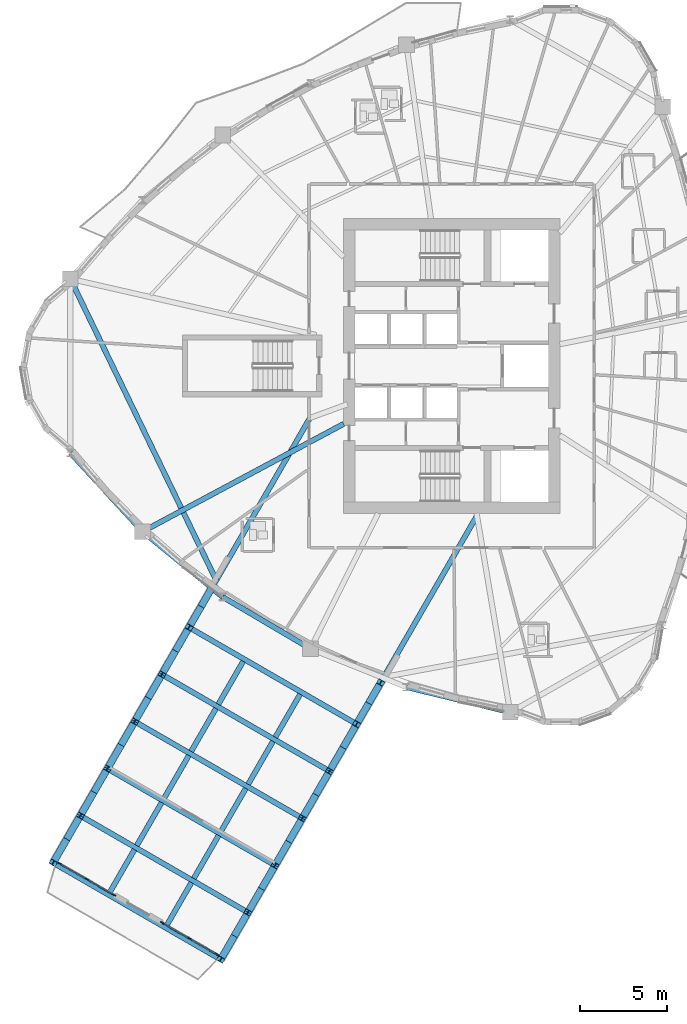
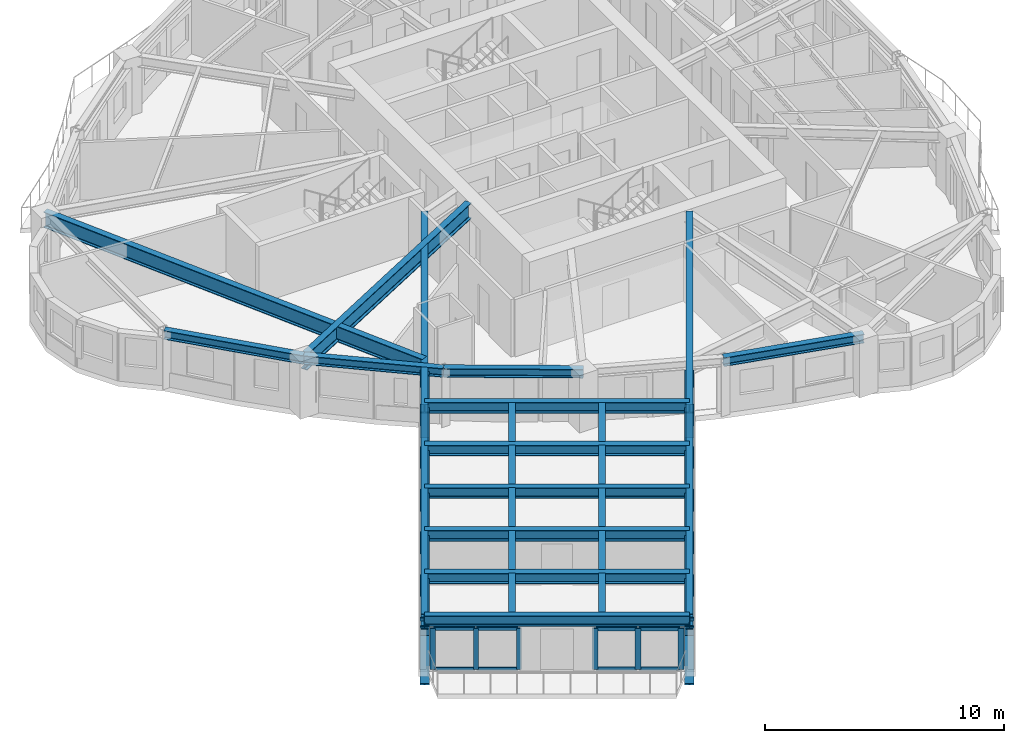
# One storey, part 2 of 17: 38 members, 24 beams, 2 elements without a shape of their own.
"""IFC4 building model written with IfcOpenShell, lengths in metres."""

from ifc_helpers import new_model, si_unit, direction, frame, origin, origin_2d, place, context, subcontext, project, spatial, rectangle, i_section, extrude, source, transform, mapped, material, layer, layer_set, material_profile, profile_set, type_object, element, aggregate, save


model = new_model("IFC4")

# Units and contexts
model_context = context("Model", 3, precision=1e-05, world=origin(), true_north=direction((0.0, 1.0)))
body_context = subcontext(model_context, "Body", "Model", "MODEL_VIEW")
ifc_project = project(units=[si_unit("LENGTHUNIT", "METRE"), si_unit("AREAUNIT", "SQUARE_METRE"), si_unit("VOLUMEUNIT", "CUBIC_METRE"), si_unit("PLANEANGLEUNIT", "RADIAN"), si_unit("MASSUNIT", "GRAM", prefix="KILO")], contexts=[model_context])

# Site, building, storey
site_placement = place(None, origin())
site = spatial("IfcSite", under=ifc_project, at=site_placement, CompositionType="ELEMENT")
building_placement = place(site_placement, origin())
building = spatial("IfcBuilding", under=site, at=building_placement, Name="Qafzar Sky-Pleat Residences", CompositionType="ELEMENT")
storey_placement = place(building_placement, frame((0.0, 0.0, 112.0)))
storey = spatial("IfcBuildingStorey", under=building, at=storey_placement, Name="L33", CompositionType="ELEMENT", Elevation=112.0)

# Beams
ifc_material_1 = material(Name="Steel S355", Category="steel")
ifc_material_profile_1 = material_profile(ifc_material_1, i_section(OverallWidth=0.300048828125, OverallDepth=0.449951171875, WebThickness=0.013916015625, FlangeThickness=0.02587890625, FilletRadius=0.027099609375, at=origin_2d()), Name="HEB 450")
ifc_profile_set_1 = profile_set([ifc_material_profile_1], Name="Steel S355")
beam_type_1 = type_object("IfcBeamType", Name="BM-SPAN-HEB450", PredefinedType="SPANDREL", material=ifc_profile_set_1)
shared_shape_1 = source(origin(), body_context, "Body", "SweptSolid", [
    extrude(i_section(OverallWidth=0.300048828125, OverallDepth=0.449951171875, WebThickness=0.013916015625, FlangeThickness=0.02587890625, FilletRadius=0.027099609375, at=origin_2d()), origin(), (0.0, 0.0, 1.0), 6.12255859375),
])
beam_1_placement = place(storey_placement, frame((8.47412109375, 21.003662109375, 2.7080078125), z_axis=(0.676462829948, -0.736476774718, 0.0), x_axis=(0.736476774718, 0.676462829948, 0.0)))
element("IfcBeam", 1, at=beam_1_placement, inside=storey, type_object=beam_type_1, Name="L33 Perimeter Spandrel Beam 2", PredefinedType="SPANDREL", context=body_context, shape_type="MappedRepresentation", body=[
    mapped(shared_shape_1, transform((0.0, 0.0, 0.0), x_axis=(1.0, 0.0, 0.0), y_axis=(0.0, 1.0, 0.0), z_axis=(0.0, 0.0, 1.0), scale=1.0)),
])
shared_shape_2 = source(origin(), body_context, "Body", "SweptSolid", [
    extrude(i_section(OverallWidth=0.300048828125, OverallDepth=0.449951171875, WebThickness=0.013916015625, FlangeThickness=0.02587890625, FilletRadius=0.027099609375, at=origin_2d()), origin(), (0.0, 0.0, 1.0), 5.9248046875),
])
beam_2_placement = place(storey_placement, frame((12.61572265625, 16.49462890625, 2.7080078125), z_axis=(0.775326900383, -0.631560129792, 0.0), x_axis=(0.631560129792, 0.775326900383, 0.0)))
element("IfcBeam", 2, at=beam_2_placement, inside=storey, type_object=beam_type_1, Name="L33 Perimeter Spandrel Beam 3", PredefinedType="SPANDREL", context=body_context, shape_type="MappedRepresentation", body=[
    mapped(shared_shape_2, transform((0.0, 0.0, 0.0), x_axis=(1.0, 0.0, 0.0), y_axis=(0.0, 1.0, 0.0), z_axis=(0.0, 0.0, 1.0), scale=1.0)),
])
shared_shape_3 = source(origin(), body_context, "Body", "SweptSolid", [
    extrude(i_section(OverallWidth=0.300048828125, OverallDepth=0.449951171875, WebThickness=0.013916015625, FlangeThickness=0.02587890625, FilletRadius=0.027099609375, at=origin_2d()), origin(), (0.0, 0.0, 1.0), 5.85791015625),
])
beam_3_placement = place(storey_placement, frame((17.20947265625, 12.752685546875, 2.7080078125), z_axis=(0.861428087591, -0.507879562406, 0.0), x_axis=(0.507879562406, 0.861428087591, 0.0)))
element("IfcBeam", 3, at=beam_3_placement, inside=storey, type_object=beam_type_1, Name="L33 Perimeter Spandrel Beam 4", PredefinedType="SPANDREL", context=body_context, shape_type="MappedRepresentation", body=[
    mapped(shared_shape_3, transform((0.0, 0.0, 0.0), x_axis=(1.0, 0.0, 0.0), y_axis=(0.0, 1.0, 0.0), z_axis=(0.0, 0.0, 1.0), scale=1.0)),
])
shared_shape_4 = source(origin(), body_context, "Body", "SweptSolid", [
    extrude(i_section(OverallWidth=0.300048828125, OverallDepth=0.449951171875, WebThickness=0.013916015625, FlangeThickness=0.02587890625, FilletRadius=0.027099609375, at=origin_2d()), origin(), (0.0, 0.0, 1.0), 6.122314453125),
])
beam_4_placement = place(storey_placement, frame((27.75390625, 7.5693359375, 2.7080078125), z_axis=(0.971910390101, -0.235351213325, 0.0), x_axis=(0.235351213325, 0.971910390101, 0.0)))
element("IfcBeam", 4, at=beam_4_placement, inside=storey, type_object=beam_type_1, Name="L33 Perimeter Spandrel Beam 6", PredefinedType="SPANDREL", context=body_context, shape_type="MappedRepresentation", body=[
    mapped(shared_shape_4, transform((0.0, 0.0, 0.0), x_axis=(1.0, 0.0, 0.0), y_axis=(0.0, 1.0, 0.0), z_axis=(0.0, 0.0, 1.0), scale=1.0)),
])
ifc_material_2 = material(Name="Steel S460", Category="steel")
ifc_material_profile_2 = material_profile(ifc_material_2, i_section(OverallWidth=0.300048828125, OverallDepth=0.800048828125, WebThickness=0.017578125, FlangeThickness=0.032958984375, FilletRadius=0.030029296875, at=origin_2d()), Name="HEB 800")
ifc_profile_set_2 = profile_set([ifc_material_profile_2], Name="Steel S460")
beam_type_2 = type_object("IfcBeamType", Name="BM-CHORD-HEB800", PredefinedType="BEAM", material=ifc_profile_set_2)
shared_shape_5 = source(origin(), body_context, "Body", "SweptSolid", [
    extrude(i_section(OverallWidth=0.300048828125, OverallDepth=0.800048828125, WebThickness=0.017578125, FlangeThickness=0.032958984375, FilletRadius=0.030029296875, at=origin_2d()), origin(), (0.0, 0.0, 1.0), 13.086669921875),
])
beam_5_placement = place(storey_placement, frame((12.61572265625, 16.49462890625, 2.532958984375), z_axis=(0.881373448835, 0.472420198223, 0.0), x_axis=(-0.472420198223, 0.881373448835, 0.0)))
element("IfcBeam", 5, at=beam_5_placement, inside=storey, type_object=beam_type_2, Name="L33 Radial Floor Girder 3", PredefinedType="BEAM", context=body_context, shape_type="MappedRepresentation", body=[
    mapped(shared_shape_5, transform((0.0, 0.0, 0.0), x_axis=(1.0, 0.0, 0.0), y_axis=(0.0, 1.0, 0.0), z_axis=(0.0, 0.0, 1.0), scale=1.0)),
])
shared_shape_6 = source(origin(), body_context, "Body", "SweptSolid", [
    extrude(i_section(OverallWidth=0.300048828125, OverallDepth=0.800048828125, WebThickness=0.017578125, FlangeThickness=0.032958984375, FilletRadius=0.030029296875, at=origin_2d()), origin(), (0.0, 0.0, 1.0), 29.460205078125),
])
beam_6_placement = place(storey_placement, frame((31.831298828125, 17.4658203125, 2.532958984375), z_axis=(-0.499994809059, -0.866028400755, 0.0), x_axis=(0.866028400755, -0.499994809059, 0.0)))
element("IfcBeam", 6, at=beam_6_placement, inside=storey, type_object=beam_type_2, Name="L33 SB-3 Truss Chord L1", PredefinedType="BEAM", context=body_context, shape_type="MappedRepresentation", body=[
    mapped(shared_shape_6, transform((0.0, 0.0, 0.0), x_axis=(1.0, 0.0, 0.0), y_axis=(0.0, 1.0, 0.0), z_axis=(0.0, 0.0, 1.0), scale=1.0)),
])

# Members
ifc_material_profile_3 = material_profile(ifc_material_2, i_section(OverallWidth=0.40087890625, OverallDepth=0.39892578125, WebThickness=0.02294921875, FlangeThickness=0.035888671875, FilletRadius=0.014892578125, at=origin_2d()), Name="HD 400x314")
ifc_profile_set_3 = profile_set([ifc_material_profile_3], Name="Steel S460")
member_type_1 = type_object("IfcMemberType", Name="MEM-SB-DIAG", PredefinedType="BRACE", material=ifc_profile_set_3)
shared_shape_7 = source(origin(), body_context, "Body", "SweptSolid", [
    extrude(i_section(OverallWidth=0.40087890625, OverallDepth=0.39892578125, WebThickness=0.02294921875, FlangeThickness=0.035888671875, FilletRadius=0.014892578125, at=origin_2d()), origin(), (0.0, 0.0, 1.0), 4.224853515625),
])
for number, where, z_axis, x_axis, name in (
    (7, (26.2763671875, 7.844482421875, -0.6669921875), (-0.326444068238, -0.565454984547, 0.757426518392), (0.866039674899, -0.49997528089, 0.0), "L33 SB-3 Truss Web Diagonal L1A"),
    (8, (26.2763671875, 7.844482421875, 2.532958984375), (-0.326444068238, -0.565454984547, -0.757426518392), (0.866039674899, -0.49997528089, 0.0), "L33 SB-3 Truss Web Diagonal L1B"),
):
    element("IfcMember", number, at=place(storey_placement, frame(where, z_axis=z_axis, x_axis=x_axis)), inside=storey, type_object=member_type_1, Name=name, PredefinedType="BRACE", context=body_context, shape_type="MappedRepresentation", body=[
        mapped(shared_shape_7, transform((0.0, 0.0, 0.0), x_axis=(1.0, 0.0, 0.0), y_axis=(0.0, 1.0, 0.0), z_axis=(0.0, 0.0, 1.0), scale=1.0)),
    ])
shared_shape_8 = source(origin(), body_context, "Body", "SweptSolid", [
    extrude(i_section(OverallWidth=0.40087890625, OverallDepth=0.39892578125, WebThickness=0.02294921875, FlangeThickness=0.035888671875, FilletRadius=0.014892578125, at=origin_2d()), origin(), (0.0, 0.0, 1.0), 4.46826171875),
])
for number, where, z_axis, x_axis, name in (
    (9, (24.897216796875, 5.45556640625, -0.6669921875), (-0.348982495153, -0.604422163987, 0.716159944257), (0.866013493936, -0.500020627895, 0.0), "L33 SB-3 Truss Web Diagonal L2A"),
    (10, (24.897216796875, 5.45556640625, 2.532958984375), (-0.348982495153, -0.604422163987, -0.716159944257), (0.866013493936, -0.500020627895, 0.0), "L33 SB-3 Truss Web Diagonal L2B"),
    (11, (15.284423828125, 11.005615234375, -0.6669921875), (-0.348982495153, -0.604422163987, 0.716159944257), (0.866013493936, -0.500020627895, 0.0), "L33 SB-3 Truss Web Diagonal R2A"),
    (12, (15.284423828125, 11.005615234375, 2.532958984375), (-0.348982495153, -0.604422163987, -0.716159944257), (0.866013493936, -0.500020627895, 0.0), "L33 SB-3 Truss Web Diagonal R2B"),
    (13, (9.047607421875, 0.203125, -0.6669921875), (-0.348982495153, -0.604422163987, 0.716159944257), (0.866013493936, -0.500020627895, 0.0), "L33 SB-3 Truss Web Diagonal R6A"),
    (14, (9.047607421875, 0.203125, 2.532958984375), (-0.348982495153, -0.604422163987, -0.716159944257), (0.866013493936, -0.500020627895, 0.0), "L33 SB-3 Truss Web Diagonal R6B"),
):
    element("IfcMember", number, at=place(storey_placement, frame(where, z_axis=z_axis, x_axis=x_axis)), inside=storey, type_object=member_type_1, Name=name, PredefinedType="BRACE", context=body_context, shape_type="MappedRepresentation", body=[
        mapped(shared_shape_8, transform((0.0, 0.0, 0.0), x_axis=(1.0, 0.0, 0.0), y_axis=(0.0, 1.0, 0.0), z_axis=(0.0, 0.0, 1.0), scale=1.0)),
    ])
shared_shape_9 = source(origin(), body_context, "Body", "SweptSolid", [
    extrude(i_section(OverallWidth=0.40087890625, OverallDepth=0.39892578125, WebThickness=0.02294921875, FlangeThickness=0.035888671875, FilletRadius=0.014892578125, at=origin_2d()), origin(), (0.0, 0.0, 1.0), 4.468017578125),
])
for number, where, z_axis, x_axis, name in (
    (15, (23.337890625, 2.7548828125, -0.6669921875), (-0.348934508758, -0.604433688675, 0.716173599481), (0.866047393576, -0.499961910629, 0.0), "L33 SB-3 Truss Web Diagonal L3A"),
    (16, (23.337890625, 2.7548828125, 2.532958984375), (-0.348934508758, -0.604433688675, -0.716173599481), (0.866047393576, -0.499961910629, 0.0), "L33 SB-3 Truss Web Diagonal L3B"),
    (17, (21.77880859375, 0.05419921875, -0.6669921875), (-0.348994020464, -0.604387484006, 0.716183595775), (0.86599391852, -0.500054530113, 0.0), "L33 SB-3 Truss Web Diagonal L4A"),
    (18, (21.77880859375, 0.05419921875, 2.532958984375), (-0.348994020464, -0.604387484006, -0.716183595775), (0.86599391852, -0.500054530113, 0.0), "L33 SB-3 Truss Web Diagonal L4B"),
    (19, (20.219482421875, -2.646240234375, -0.6669921875), (-0.348934508758, -0.604433688675, 0.716173599481), (0.866047393576, -0.499961910629, 0.0), "L33 SB-3 Truss Web Diagonal L5A"),
    (20, (20.219482421875, -2.646240234375, 2.532958984375), (-0.348934508758, -0.604433688675, -0.716173599481), (0.866047393576, -0.499961910629, 0.0), "L33 SB-3 Truss Web Diagonal L5B"),
    (21, (18.660400390625, -5.346923828125, -0.6669921875), (-0.348934508758, -0.604433688675, 0.716173599481), (0.866047393576, -0.499961910629, 0.0), "L33 SB-3 Truss Web Diagonal L6A"),
    (22, (18.660400390625, -5.346923828125, 2.532958984375), (-0.348934508758, -0.604433688675, -0.716173599481), (0.866047393576, -0.499961910629, 0.0), "L33 SB-3 Truss Web Diagonal L6B"),
    (23, (13.72509765625, 8.304931640625, -0.6669921875), (-0.348934508758, -0.604433688675, 0.716173599481), (0.866047393576, -0.499961910629, 0.0), "L33 SB-3 Truss Web Diagonal R3A"),
    (24, (13.72509765625, 8.304931640625, 2.532958984375), (-0.348934508758, -0.604433688675, -0.716173599481), (0.866047393576, -0.499961910629, 0.0), "L33 SB-3 Truss Web Diagonal R3B"),
    (25, (12.166015625, 5.604248046875, -0.6669921875), (-0.348994020464, -0.604387484006, 0.716183595775), (0.86599391852, -0.500054530113, 0.0), "L33 SB-3 Truss Web Diagonal R4A"),
    (26, (12.166015625, 5.604248046875, 2.532958984375), (-0.348994020464, -0.604387484006, -0.716183595775), (0.86599391852, -0.500054530113, 0.0), "L33 SB-3 Truss Web Diagonal R4B"),
    (27, (10.606689453125, 2.90380859375, -0.6669921875), (-0.348934508758, -0.604433688675, 0.716173599481), (0.866047393576, -0.499961910629, 0.0), "L33 SB-3 Truss Web Diagonal R5A"),
    (28, (10.606689453125, 2.90380859375, 2.532958984375), (-0.348934508758, -0.604433688675, -0.716173599481), (0.866047393576, -0.499961910629, 0.0), "L33 SB-3 Truss Web Diagonal R5B"),
):
    element("IfcMember", number, at=place(storey_placement, frame(where, z_axis=z_axis, x_axis=x_axis)), inside=storey, type_object=member_type_1, Name=name, PredefinedType="BRACE", context=body_context, shape_type="MappedRepresentation", body=[
        mapped(shared_shape_9, transform((0.0, 0.0, 0.0), x_axis=(1.0, 0.0, 0.0), y_axis=(0.0, 1.0, 0.0), z_axis=(0.0, 0.0, 1.0), scale=1.0)),
    ])

# Beam
shared_shape_10 = source(origin(), body_context, "Body", "SweptSolid", [
    extrude(i_section(OverallWidth=0.300048828125, OverallDepth=0.800048828125, WebThickness=0.017578125, FlangeThickness=0.032958984375, FilletRadius=0.030029296875, at=origin_2d()), origin(), (0.0, 0.0, 1.0), 29.46044921875),
])
beam_7_placement = place(storey_placement, frame((22.218505859375, 23.015869140625, 2.532958984375), z_axis=(-0.5000010244, -0.866024812346, 0.0), x_axis=(0.866024812346, -0.5000010244, 0.0)))
element("IfcBeam", 29, at=beam_7_placement, inside=storey, type_object=beam_type_2, Name="L33 SB-3 Truss Chord R1", PredefinedType="BEAM", context=body_context, shape_type="MappedRepresentation", body=[
    mapped(shared_shape_10, transform((0.0, 0.0, 0.0), x_axis=(1.0, 0.0, 0.0), y_axis=(0.0, 1.0, 0.0), z_axis=(0.0, 0.0, 1.0), scale=1.0)),
])

# Members
shared_shape_11 = source(origin(), body_context, "Body", "SweptSolid", [
    extrude(i_section(OverallWidth=0.40087890625, OverallDepth=0.39892578125, WebThickness=0.02294921875, FlangeThickness=0.035888671875, FilletRadius=0.014892578125, at=origin_2d()), origin(), (0.0, 0.0, 1.0), 4.224609375),
])
for number, where, z_axis, x_axis, name in (
    (30, (16.66357421875, 13.394287109375, -0.6669921875), (-0.326454735258, -0.565415671759, 0.757451268371), (0.866017547827, -0.500013606671, 0.0), "L33 SB-3 Truss Web Diagonal R1A"),
    (31, (16.66357421875, 13.394287109375, 2.532958984375), (-0.326454735258, -0.565415671759, -0.757451268371), (0.866017547827, -0.500013606671, 0.0), "L33 SB-3 Truss Web Diagonal R1B"),
):
    element("IfcMember", number, at=place(storey_placement, frame(where, z_axis=z_axis, x_axis=x_axis)), inside=storey, type_object=member_type_1, Name=name, PredefinedType="BRACE", context=body_context, shape_type="MappedRepresentation", body=[
        mapped(shared_shape_11, transform((0.0, 0.0, 0.0), x_axis=(1.0, 0.0, 0.0), y_axis=(0.0, 1.0, 0.0), z_axis=(0.0, 0.0, 1.0), scale=1.0)),
    ])

# Beams
shared_shape_12 = source(origin(), body_context, "Body", "SweptSolid", [
    extrude(i_section(OverallWidth=0.300048828125, OverallDepth=0.800048828125, WebThickness=0.017578125, FlangeThickness=0.032958984375, FilletRadius=0.030029296875, at=origin_2d()), origin(), (0.0, 0.0, 1.0), 19.209228515625),
])
beam_8_placement = place(storey_placement, frame((8.47412109375, 30.996337890625, 2.532958984375), z_axis=(0.435697460099, -0.900093174768, 0.0), x_axis=(0.900093174768, 0.435697460099, 0.0)))
element("IfcBeam", 32, at=beam_8_placement, inside=storey, type_object=beam_type_2, Name="L33 SB-3 Wing-Belt Top Chord R", PredefinedType="BEAM", context=body_context, shape_type="MappedRepresentation", body=[
    mapped(shared_shape_12, transform((0.0, 0.0, 0.0), x_axis=(1.0, 0.0, 0.0), y_axis=(0.0, 1.0, 0.0), z_axis=(0.0, 0.0, 1.0), scale=1.0)),
])
ifc_material_profile_4 = material_profile(ifc_material_1, i_section(OverallWidth=0.300048828125, OverallDepth=0.550048828125, WebThickness=0.014892578125, FlangeThickness=0.029052734375, FilletRadius=0.027099609375, at=origin_2d()), Name="HEB 550")
ifc_profile_set_4 = profile_set([ifc_material_profile_4], Name="Steel S355")
beam_type_3 = type_object("IfcBeamType", Name="BM-GIRD-HEB550", PredefinedType="BEAM", material=ifc_profile_set_4)
shared_shape_13 = source(origin(), body_context, "Body", "SweptSolid", [
    extrude(i_section(OverallWidth=0.300048828125, OverallDepth=0.550048828125, WebThickness=0.014892578125, FlangeThickness=0.029052734375, FilletRadius=0.027099609375, at=origin_2d()), origin(), (0.0, 0.0, 1.0), 11.099853515625),
])
for number, where, z_axis, x_axis, name in (
    (33, (24.897216796875, 5.45556640625, 2.657958984375), (-0.866021494144, 0.500006771635, 0.0), (-0.500006771635, -0.866021494144, 0.0), "L33 SB-3 Transverse Girder 1"),
    (34, (23.337890625, 2.7548828125, 2.657958984375), (-0.866021494144, 0.500006771635, 0.0), (-0.500006771635, -0.866021494144, 0.0), "L33 SB-3 Transverse Girder 2"),
    (35, (21.77880859375, 0.05419921875, 2.657958984375), (-0.866021494144, 0.500006771635, 0.0), (-0.500006771635, -0.866021494144, 0.0), "L33 SB-3 Transverse Girder 3"),
    (36, (20.219482421875, -2.646240234375, 2.657958984375), (-0.866021494144, 0.500006771635, 0.0), (-0.500006771635, -0.866021494144, 0.0), "L33 SB-3 Transverse Girder 4"),
    (37, (18.660400390625, -5.346923828125, 2.657958984375), (-0.866021494144, 0.500006771635, 0.0), (-0.500006771635, -0.866021494144, 0.0), "L33 SB-3 Transverse Girder 5"),
):
    element("IfcBeam", number, at=place(storey_placement, frame(where, z_axis=z_axis, x_axis=x_axis)), inside=storey, type_object=beam_type_3, Name=name, PredefinedType="BEAM", context=body_context, shape_type="MappedRepresentation", body=[
        mapped(shared_shape_13, transform((0.0, 0.0, 0.0), x_axis=(1.0, 0.0, 0.0), y_axis=(0.0, 1.0, 0.0), z_axis=(0.0, 0.0, 1.0), scale=1.0)),
    ])
ifc_material_profile_5 = material_profile(ifc_material_1, i_section(OverallWidth=0.300048828125, OverallDepth=0.389892578125, WebThickness=0.010986328125, FlangeThickness=0.01904296875, FilletRadius=0.027099609375, at=origin_2d()), Name="HEA 400")
ifc_profile_set_5 = profile_set([ifc_material_profile_5], Name="Steel S355")
beam_type_4 = type_object("IfcBeamType", Name="BM-SBJ-HEA400", PredefinedType="JOIST", material=ifc_profile_set_5)
shared_shape_14 = source(origin(), body_context, "Body", "SweptSolid", [
    extrude(i_section(OverallWidth=0.300048828125, OverallDepth=0.389892578125, WebThickness=0.010986328125, FlangeThickness=0.01904296875, FilletRadius=0.027099609375, at=origin_2d()), origin(), (0.0, 0.0, 1.0), 2.848388671875),
])
for number, where, z_axis, x_axis, name in (
    (38, (18.38916015625, 9.05712890625, 2.738037109375), (-0.500029111807, -0.866008595423, 0.0), (0.866008595423, -0.500029111807, 0.0), "L33 SB-3 Sky-Bar Secondary Deck Joist 2.1"),
    (39, (21.657470703125, 7.170166015625, 2.738037109375), (-0.499964828059, -0.866045709362, 0.0), (0.866045709362, -0.499964828059, 0.0), "L33 SB-3 Sky-Bar Secondary Deck Joist 2.2"),
    (40, (16.829833984375, 6.3564453125, 2.738037109375), (-0.499964828059, -0.866045709362, 0.0), (0.866045709362, -0.499964828059, 0.0), "L33 SB-3 Sky-Bar Secondary Deck Joist 3.1"),
    (41, (20.098388671875, 4.469482421875, 2.738037109375), (-0.500029111807, -0.866008595423, 0.0), (0.866008595423, -0.500029111807, 0.0), "L33 SB-3 Sky-Bar Secondary Deck Joist 3.2"),
    (42, (15.270751953125, 3.656005859375, 2.738037109375), (-0.500029111807, -0.866008595423, 0.0), (0.866008595423, -0.500029111807, 0.0), "L33 SB-3 Sky-Bar Secondary Deck Joist 4.1"),
    (43, (18.5390625, 1.768798828125, 2.738037109375), (-0.499964828059, -0.866045709362, 0.0), (0.866045709362, -0.499964828059, 0.0), "L33 SB-3 Sky-Bar Secondary Deck Joist 4.2"),
    (44, (13.71142578125, 0.955322265625, 2.738037109375), (-0.499964828059, -0.866045709362, 0.0), (0.866045709362, -0.499964828059, 0.0), "L33 SB-3 Sky-Bar Secondary Deck Joist 5.1"),
    (45, (16.97998046875, -0.931640625, 2.738037109375), (-0.500029111807, -0.866008595423, 0.0), (0.866008595423, -0.500029111807, 0.0), "L33 SB-3 Sky-Bar Secondary Deck Joist 5.2"),
    (46, (12.15234375, -1.745361328125, 2.738037109375), (-0.500029111807, -0.866008595423, 0.0), (0.866008595423, -0.500029111807, 0.0), "L33 SB-3 Sky-Bar Secondary Deck Joist 6.1"),
    (47, (15.420654296875, -3.63232421875, 2.738037109375), (-0.499964828059, -0.866045709362, 0.0), (0.866045709362, -0.499964828059, 0.0), "L33 SB-3 Sky-Bar Secondary Deck Joist 6.2"),
):
    element("IfcBeam", number, at=place(storey_placement, frame(where, z_axis=z_axis, x_axis=x_axis)), inside=storey, type_object=beam_type_4, Name=name, PredefinedType="JOIST", context=body_context, shape_type="MappedRepresentation", body=[
        mapped(shared_shape_14, transform((0.0, 0.0, 0.0), x_axis=(1.0, 0.0, 0.0), y_axis=(0.0, 1.0, 0.0), z_axis=(0.0, 0.0, 1.0), scale=1.0)),
    ])
shared_shape_15 = source(origin(), body_context, "Body", "SweptSolid", [
    extrude(i_section(OverallWidth=0.300048828125, OverallDepth=0.550048828125, WebThickness=0.014892578125, FlangeThickness=0.029052734375, FilletRadius=0.027099609375, at=origin_2d()), origin(), (0.0, 0.0, 1.0), 11.10009765625),
])
beam_9_placement = place(storey_placement, frame((17.101318359375, -8.047607421875, 2.657958984375), z_axis=(-0.866026992824, 0.499997247692, 0.0), x_axis=(-0.499997247692, -0.866026992824, 0.0)))
element("IfcBeam", 48, at=beam_9_placement, inside=storey, type_object=beam_type_3, Name="L33 SB-3 Transverse Girder 6", PredefinedType="BEAM", context=body_context, shape_type="MappedRepresentation", body=[
    mapped(shared_shape_15, transform((0.0, 0.0, 0.0), x_axis=(1.0, 0.0, 0.0), y_axis=(0.0, 1.0, 0.0), z_axis=(0.0, 0.0, 1.0), scale=1.0)),
])

# Curtain wall, members
ifc_material_3 = material(Name="Anodised bronze aluminium framing", Category="aluminium")
ifc_layer_1 = layer(ifc_material_3, 0.239990234375)
ifc_layer_set_1 = layer_set([ifc_layer_1], Name="Anodised bronze aluminium framing")
curtain_wall_type_1 = type_object("IfcCurtainWallType", Name="CW-SYS-02", PredefinedType="NOTDEFINED", material=ifc_layer_set_1)
curtain_wall_1_placement = place(storey_placement, origin())
curtain_wall_1 = element("IfcCurtainWall", 49, at=curtain_wall_1_placement, inside=storey, type_object=curtain_wall_type_1, Name="L33 CW-02 Curtain Wall CW-L33-SB-3-PROW-L", PredefinedType="NOTDEFINED")
ifc_material_4 = material(Name="Anodised bronze aluminium", Category="aluminium")
ifc_material_profile_6 = material_profile(ifc_material_4, rectangle(XDim=0.074951171875, YDim=0.239990234375, at=origin_2d()), Name="ALU MULLION 75x240")
ifc_profile_set_6 = profile_set([ifc_material_profile_6], Name="Anodised bronze aluminium")
member_type_2 = type_object("IfcMemberType", Name="CWM-02", PredefinedType="MULLION", material=ifc_profile_set_6)
shared_shape_16 = source(origin(), body_context, "Body", "SweptSolid", [
    extrude(rectangle(XDim=0.074951171875, YDim=0.239990234375, at=origin_2d()), origin(), (0.0, 0.0, 1.0), 2.114990234375),
])
member_1_placement = place(storey_placement, frame((16.875244140625, -7.743896484375, 0.0), z_axis=(0.0, 0.0, 1.0), x_axis=(-0.499996880201, -0.866027204994, 0.0)))
member_1 = element("IfcMember", 50, at=member_1_placement, type_object=member_type_2, Name="CW-02 mullion 1", PredefinedType="MULLION", context=body_context, shape_type="MappedRepresentation", body=[
    mapped(shared_shape_16, transform((0.0, 0.0, 0.0), x_axis=(1.0, 0.0, 0.0), y_axis=(0.0, 1.0, 0.0), z_axis=(0.0, 0.0, 1.0), scale=1.0)),
])
member_2_placement = place(storey_placement, frame((15.314208984375, -6.842529296875, 0.0), z_axis=(0.0, 0.0, 1.0), x_axis=(-0.499996880201, -0.866027204994, 0.0)))
member_2 = element("IfcMember", 51, at=member_2_placement, type_object=member_type_2, Name="CW-02 mullion 2", PredefinedType="MULLION", context=body_context, shape_type="MappedRepresentation", body=[
    mapped(shared_shape_16, transform((0.0, 0.0, 0.0), x_axis=(1.0, 0.0, 0.0), y_axis=(0.0, 1.0, 0.0), z_axis=(0.0, 0.0, 1.0), scale=1.0)),
])
member_3_placement = place(storey_placement, frame((13.753173828125, -5.94140625, 0.0), z_axis=(0.0, 0.0, 1.0), x_axis=(-0.499996880201, -0.866027204994, 0.0)))
member_3 = element("IfcMember", 52, at=member_3_placement, type_object=member_type_2, Name="CW-02 mullion 3", PredefinedType="MULLION", context=body_context, shape_type="MappedRepresentation", body=[
    mapped(shared_shape_16, transform((0.0, 0.0, 0.0), x_axis=(1.0, 0.0, 0.0), y_axis=(0.0, 1.0, 0.0), z_axis=(0.0, 0.0, 1.0), scale=1.0)),
])

ifc_layer_2 = layer(ifc_material_3, 0.219970703125)
ifc_layer_set_2 = layer_set([ifc_layer_2], Name="Anodised bronze aluminium framing")
curtain_wall_type_2 = type_object("IfcCurtainWallType", Name="CW-SYS-03", PredefinedType="NOTDEFINED", material=ifc_layer_set_2)
curtain_wall_2_placement = place(storey_placement, origin())
curtain_wall_2 = element("IfcCurtainWall", 53, at=curtain_wall_2_placement, inside=storey, type_object=curtain_wall_type_2, Name="L33 CW-03 Curtain Wall CW-L33-SB-3-PROW-R", PredefinedType="NOTDEFINED")
ifc_material_profile_7 = material_profile(ifc_material_4, rectangle(XDim=0.070068359375, YDim=0.219970703125, at=origin_2d()), Name="ALU MULLION 70x220")
ifc_profile_set_7 = profile_set([ifc_material_profile_7], Name="Anodised bronze aluminium")
member_type_3 = type_object("IfcMemberType", Name="CWM-03", PredefinedType="MULLION", material=ifc_profile_set_7)
shared_shape_17 = source(origin(), body_context, "Body", "SweptSolid", [
    extrude(rectangle(XDim=0.070068359375, YDim=0.219970703125, at=origin_2d()), origin(), (0.0, 0.0, 1.0), 2.114990234375),
])
member_4_placement = place(storey_placement, frame((10.988525390625, -4.34521484375, 0.0), z_axis=(0.0, 0.0, 1.0), x_axis=(-0.499996880201, -0.866027204994, 0.0)))
member_4 = element("IfcMember", 54, at=member_4_placement, type_object=member_type_3, Name="CW-03 mullion 1", PredefinedType="MULLION", context=body_context, shape_type="MappedRepresentation", body=[
    mapped(shared_shape_17, transform((0.0, 0.0, 0.0), x_axis=(1.0, 0.0, 0.0), y_axis=(0.0, 1.0, 0.0), z_axis=(0.0, 0.0, 1.0), scale=1.0)),
])
member_5_placement = place(storey_placement, frame((9.42529296875, -3.442626953125, 0.0), z_axis=(0.0, 0.0, 1.0), x_axis=(-0.499996880201, -0.866027204994, 0.0)))
member_5 = element("IfcMember", 55, at=member_5_placement, type_object=member_type_3, Name="CW-03 mullion 2", PredefinedType="MULLION", context=body_context, shape_type="MappedRepresentation", body=[
    mapped(shared_shape_17, transform((0.0, 0.0, 0.0), x_axis=(1.0, 0.0, 0.0), y_axis=(0.0, 1.0, 0.0), z_axis=(0.0, 0.0, 1.0), scale=1.0)),
])
member_6_placement = place(storey_placement, frame((7.862060546875, -2.5400390625, 0.0), z_axis=(0.0, 0.0, 1.0), x_axis=(-0.499996880201, -0.866027204994, 0.0)))
member_6 = element("IfcMember", 56, at=member_6_placement, type_object=member_type_3, Name="CW-03 mullion 3", PredefinedType="MULLION", context=body_context, shape_type="MappedRepresentation", body=[
    mapped(shared_shape_17, transform((0.0, 0.0, 0.0), x_axis=(1.0, 0.0, 0.0), y_axis=(0.0, 1.0, 0.0), z_axis=(0.0, 0.0, 1.0), scale=1.0)),
])

# Member
ifc_material_profile_8 = material_profile(ifc_material_4, rectangle(XDim=0.074951171875, YDim=0.179931640625, at=origin_2d()), Name="ALU TRANSOM 75x180")
ifc_profile_set_8 = profile_set([ifc_material_profile_8], Name="Anodised bronze aluminium")
member_type_4 = type_object("IfcMemberType", Name="CWT-02", PredefinedType="USERDEFINED", material=ifc_profile_set_8)
shared_shape_18 = source(origin(), body_context, "Body", "SweptSolid", [
    extrude(rectangle(XDim=0.074951171875, YDim=0.179931640625, at=origin_2d()), origin(), (0.0, 0.0, 1.0), 1.7275390625),
])
member_7_placement = place(storey_placement, frame((16.8427734375, -7.72509765625, 0.03759765625), z_axis=(-0.866025553686, 0.499999740363, 0.0), x_axis=(-0.499999740363, -0.866025553686, 0.0)))
member_7 = element("IfcMember", 57, at=member_7_placement, type_object=member_type_4, Name="CW-02 transom 1.1", ObjectType="TRANSOM", PredefinedType="USERDEFINED", context=body_context, shape_type="MappedRepresentation", body=[
    mapped(shared_shape_18, transform((0.0, 0.0, 0.0), x_axis=(1.0, 0.0, 0.0), y_axis=(0.0, 1.0, 0.0), z_axis=(0.0, 0.0, 1.0), scale=1.0)),
])

member_8_placement = place(storey_placement, frame((16.8427734375, -7.72509765625, 2.077392578125), z_axis=(-0.866025553686, 0.499999740363, 0.0), x_axis=(-0.499999740363, -0.866025553686, 0.0)))
member_8 = element("IfcMember", 58, at=member_8_placement, type_object=member_type_4, Name="CW-02 transom 1.2", ObjectType="TRANSOM", PredefinedType="USERDEFINED", context=body_context, shape_type="MappedRepresentation", body=[
    mapped(shared_shape_18, transform((0.0, 0.0, 0.0), x_axis=(1.0, 0.0, 0.0), y_axis=(0.0, 1.0, 0.0), z_axis=(0.0, 0.0, 1.0), scale=1.0)),
])

member_9_placement = place(storey_placement, frame((15.28173828125, -6.82373046875, 0.03759765625), z_axis=(-0.866086746029, 0.49989373706, 0.0), x_axis=(-0.49989373706, -0.866086746029, 0.0)))
member_9 = element("IfcMember", 59, at=member_9_placement, type_object=member_type_4, Name="CW-02 transom 2.1", ObjectType="TRANSOM", PredefinedType="USERDEFINED", context=body_context, shape_type="MappedRepresentation", body=[
    mapped(shared_shape_18, transform((0.0, 0.0, 0.0), x_axis=(1.0, 0.0, 0.0), y_axis=(0.0, 1.0, 0.0), z_axis=(0.0, 0.0, 1.0), scale=1.0)),
])

member_10_placement = place(storey_placement, frame((15.28173828125, -6.82373046875, 2.077392578125), z_axis=(-0.866086746029, 0.49989373706, 0.0), x_axis=(-0.49989373706, -0.866086746029, 0.0)))
member_10 = element("IfcMember", 60, at=member_10_placement, type_object=member_type_4, Name="CW-02 transom 2.2", ObjectType="TRANSOM", PredefinedType="USERDEFINED", context=body_context, shape_type="MappedRepresentation", body=[
    mapped(shared_shape_18, transform((0.0, 0.0, 0.0), x_axis=(1.0, 0.0, 0.0), y_axis=(0.0, 1.0, 0.0), z_axis=(0.0, 0.0, 1.0), scale=1.0)),
])

aggregate(curtain_wall_1, [member_1, member_2, member_3, member_7, member_8, member_9, member_10])

ifc_material_profile_9 = material_profile(ifc_material_4, rectangle(XDim=0.070068359375, YDim=0.1650390625, at=origin_2d()), Name="ALU TRANSOM 70x165")
ifc_profile_set_9 = profile_set([ifc_material_profile_9], Name="Anodised bronze aluminium")
member_type_5 = type_object("IfcMemberType", Name="CWT-03", PredefinedType="USERDEFINED", material=ifc_profile_set_9)
shared_shape_19 = source(origin(), body_context, "Body", "SweptSolid", [
    extrude(rectangle(XDim=0.070068359375, YDim=0.1650390625, at=origin_2d()), origin(), (0.0, 0.0, 1.0), 1.735107421875),
])
member_11_placement = place(storey_placement, frame((10.958251953125, -4.32763671875, 0.034912109375), z_axis=(-0.866061404673, 0.499937639448, 0.0), x_axis=(-0.499937639448, -0.866061404673, 0.0)))
member_11 = element("IfcMember", 61, at=member_11_placement, type_object=member_type_5, Name="CW-03 transom 1.1", ObjectType="TRANSOM", PredefinedType="USERDEFINED", context=body_context, shape_type="MappedRepresentation", body=[
    mapped(shared_shape_19, transform((0.0, 0.0, 0.0), x_axis=(1.0, 0.0, 0.0), y_axis=(0.0, 1.0, 0.0), z_axis=(0.0, 0.0, 1.0), scale=1.0)),
])

member_12_placement = place(storey_placement, frame((10.958251953125, -4.32763671875, 2.080078125), z_axis=(-0.866061404673, 0.499937639448, 0.0), x_axis=(-0.499937639448, -0.866061404673, 0.0)))
member_12 = element("IfcMember", 62, at=member_12_placement, type_object=member_type_5, Name="CW-03 transom 1.2", ObjectType="TRANSOM", PredefinedType="USERDEFINED", context=body_context, shape_type="MappedRepresentation", body=[
    mapped(shared_shape_19, transform((0.0, 0.0, 0.0), x_axis=(1.0, 0.0, 0.0), y_axis=(0.0, 1.0, 0.0), z_axis=(0.0, 0.0, 1.0), scale=1.0)),
])

member_13_placement = place(storey_placement, frame((9.39501953125, -3.425048828125, 0.034912109375), z_axis=(-0.866061404673, 0.499937639448, 0.0), x_axis=(-0.499937639448, -0.866061404673, 0.0)))
member_13 = element("IfcMember", 63, at=member_13_placement, type_object=member_type_5, Name="CW-03 transom 2.1", ObjectType="TRANSOM", PredefinedType="USERDEFINED", context=body_context, shape_type="MappedRepresentation", body=[
    mapped(shared_shape_19, transform((0.0, 0.0, 0.0), x_axis=(1.0, 0.0, 0.0), y_axis=(0.0, 1.0, 0.0), z_axis=(0.0, 0.0, 1.0), scale=1.0)),
])

member_14_placement = place(storey_placement, frame((9.39501953125, -3.425048828125, 2.080078125), z_axis=(-0.866061404673, 0.499937639448, 0.0), x_axis=(-0.499937639448, -0.866061404673, 0.0)))
member_14 = element("IfcMember", 64, at=member_14_placement, type_object=member_type_5, Name="CW-03 transom 2.2", ObjectType="TRANSOM", PredefinedType="USERDEFINED", context=body_context, shape_type="MappedRepresentation", body=[
    mapped(shared_shape_19, transform((0.0, 0.0, 0.0), x_axis=(1.0, 0.0, 0.0), y_axis=(0.0, 1.0, 0.0), z_axis=(0.0, 0.0, 1.0), scale=1.0)),
])

aggregate(curtain_wall_2, [member_4, member_5, member_6, member_11, member_12, member_13, member_14])

save(model, "model.ifc")
